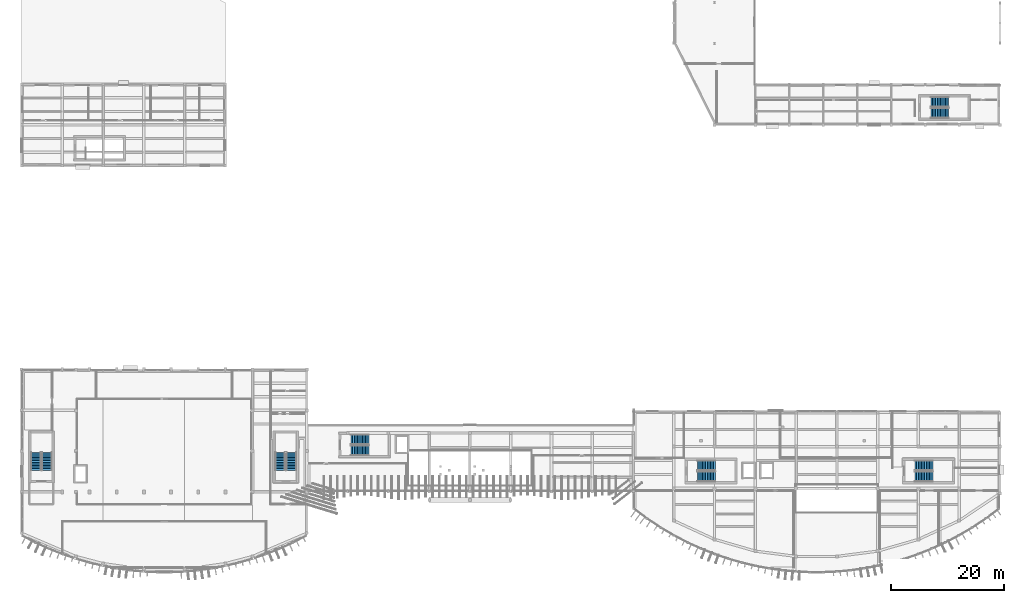
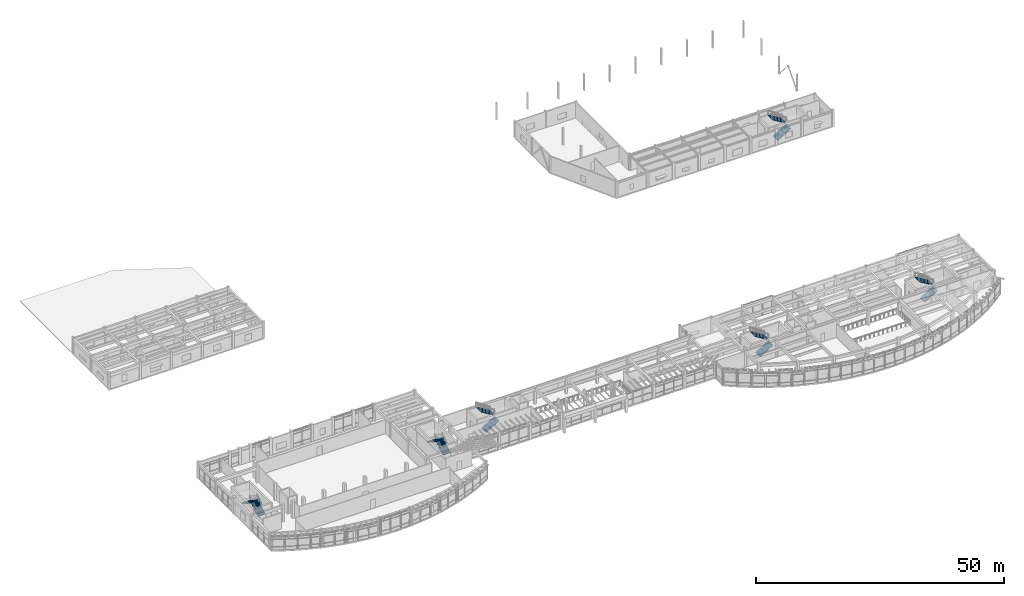
# One storey, part 44 of 60: 12 stair flights, 6 elements without a shape of their own.
"""IFC4 building model written with IfcOpenShell, lengths in metres."""

from ifc_helpers import new_model, si_unit, direction, frame, origin, place, context, subcontext, project, spatial, polyline, outline, extrude, material, type_object, element, aggregate, save


model = new_model("IFC4")

# Units and contexts
model_context = context("Model", 3, precision=1e-05, world=origin(), true_north=direction((0.0, 1.0)))
body_context = subcontext(model_context, "Body", "Model", "MODEL_VIEW")
ifc_project = project(units=[si_unit("LENGTHUNIT", "METRE"), si_unit("AREAUNIT", "SQUARE_METRE"), si_unit("VOLUMEUNIT", "CUBIC_METRE"), si_unit("PLANEANGLEUNIT", "RADIAN"), si_unit("MASSUNIT", "GRAM", prefix="KILO")], contexts=[model_context])

# Site, building, storey
site_placement = place(None, origin())
site = spatial("IfcSite", under=ifc_project, at=site_placement, CompositionType="ELEMENT")
building_placement = place(site_placement, origin())
building = spatial("IfcBuilding", under=site, at=building_placement, Name="Brisavento Harbour Community Centre", CompositionType="ELEMENT")
storey_placement = place(building_placement, frame((0.0, 0.0, 4.5)))
storey = spatial("IfcBuildingStorey", under=building, at=storey_placement, Name="L01", CompositionType="ELEMENT", Elevation=4.5)

# Stair, stair flights
ifc_material = material(Name="Concrete C35/45", Category="concrete")
stair_type = type_object("IfcStairType", Name="STR-DL-4200", PredefinedType="HALF_TURN_STAIR", material=ifc_material)
stair_1_placement = place(storey_placement, origin())
stair_1 = element("IfcStair", 1, at=stair_1_placement, inside=storey, type_object=stair_type, Name="L01 ST-01", PredefinedType="HALF_TURN_STAIR")
stair_flight_type = type_object("IfcStairFlightType", Name="FLT-DL-4200", PredefinedType="STRAIGHT", material=ifc_material)
stair_flight_1_placement = place(storey_placement, frame((4.5, 18.199951171875, 0.0), z_axis=(0.0, 0.0, 1.0), x_axis=(0.0, 1.0, 0.0)))
stair_flight_1 = element("IfcStairFlight", 2, at=stair_flight_1_placement, type_object=stair_flight_type, Name="ST-01 flight 1", NumberOfRisers=12, NumberOfTreads=11, PredefinedType="STRAIGHT", RiserHeight=0.175, TreadLength=0.285, context=body_context, shape_type="SweptSolid", body=[
    extrude(outline(polyline([(0.0, 0.0), (0.0, 0.175048828125), (0.284912109375, 0.175048828125), (0.284912109375, 0.35009765625), (0.570068359375, 0.35009765625), (0.570068359375, 0.52490234375), (0.85498046875, 0.52490234375), (0.85498046875, 0.699951171875), (1.139892578125, 0.699951171875), (1.139892578125, 0.875), (1.425048828125, 0.875), (1.425048828125, 1.050048828125), (1.7099609375, 1.050048828125), (1.7099609375, 1.22509765625), (1.9951171875, 1.22509765625), (1.9951171875, 1.39990234375), (2.280029296875, 1.39990234375), (2.280029296875, 1.574951171875), (2.56494140625, 1.574951171875), (2.56494140625, 1.75), (2.85009765625, 1.75), (2.85009765625, 1.925048828125), (3.135009765625, 1.925048828125), (3.135009765625, 2.10009765625), (3.135009765625, 1.7490234375), (0.286376953125, 0.0), (0.0, 0.0)])), frame((0.0, 0.89990234375, 0.0), z_axis=(0.0, -1.0, 0.0), x_axis=(1.0, 0.0, 0.0)), (0.0, 0.0, 1.0), 1.800048828125),
])
stair_flight_2_placement = place(storey_placement, frame((2.550048828125, 21.3349609375, 2.10009765625), z_axis=(0.0, 0.0, 1.0), x_axis=(0.0, -1.0, 0.0)))
stair_flight_2 = element("IfcStairFlight", 3, at=stair_flight_2_placement, type_object=stair_flight_type, Name="ST-01 flight 2", NumberOfRisers=12, NumberOfTreads=11, PredefinedType="STRAIGHT", RiserHeight=0.175, TreadLength=0.285, context=body_context, shape_type="SweptSolid", body=[
    extrude(outline(polyline([(0.0, 0.0), (0.0, 0.175048828125), (0.284912109375, 0.175048828125), (0.284912109375, 0.35009765625), (0.570068359375, 0.35009765625), (0.570068359375, 0.52490234375), (0.85498046875, 0.52490234375), (0.85498046875, 0.699951171875), (1.139892578125, 0.699951171875), (1.139892578125, 0.875), (1.425048828125, 0.875), (1.425048828125, 1.050048828125), (1.7099609375, 1.050048828125), (1.7099609375, 1.22509765625), (1.9951171875, 1.22509765625), (1.9951171875, 1.39990234375), (2.280029296875, 1.39990234375), (2.280029296875, 1.574951171875), (2.56494140625, 1.574951171875), (2.56494140625, 1.75), (2.85009765625, 1.75), (2.85009765625, 1.925048828125), (3.135009765625, 1.925048828125), (3.135009765625, 2.10009765625), (3.135009765625, 1.7490234375), (0.286376953125, 0.0), (0.0, 0.0)])), frame((0.0, 0.89990234375, 0.0), z_axis=(0.0, -1.0, 0.0), x_axis=(1.0, 0.0, 0.0)), (0.0, 0.0, 1.0), 1.800048828125),
])
aggregate(stair_1, [stair_flight_1, stair_flight_2])

stair_2_placement = place(storey_placement, origin())
stair_2 = element("IfcStair", 4, at=stair_2_placement, inside=storey, type_object=stair_type, Name="L01 ST-02", PredefinedType="HALF_TURN_STAIR")
stair_flight_3_placement = place(storey_placement, frame((47.64990234375, 18.199951171875, 0.0), z_axis=(0.0, 0.0, 1.0), x_axis=(0.0, 1.0, 0.0)))
stair_flight_3 = element("IfcStairFlight", 5, at=stair_flight_3_placement, type_object=stair_flight_type, Name="ST-02 flight 1", NumberOfRisers=12, NumberOfTreads=11, PredefinedType="STRAIGHT", RiserHeight=0.175, TreadLength=0.285, context=body_context, shape_type="SweptSolid", body=[
    extrude(outline(polyline([(0.0, 0.0), (0.0, 0.175048828125), (0.284912109375, 0.175048828125), (0.284912109375, 0.35009765625), (0.570068359375, 0.35009765625), (0.570068359375, 0.52490234375), (0.85498046875, 0.52490234375), (0.85498046875, 0.699951171875), (1.139892578125, 0.699951171875), (1.139892578125, 0.875), (1.425048828125, 0.875), (1.425048828125, 1.050048828125), (1.7099609375, 1.050048828125), (1.7099609375, 1.22509765625), (1.9951171875, 1.22509765625), (1.9951171875, 1.39990234375), (2.280029296875, 1.39990234375), (2.280029296875, 1.574951171875), (2.56494140625, 1.574951171875), (2.56494140625, 1.75), (2.85009765625, 1.75), (2.85009765625, 1.925048828125), (3.135009765625, 1.925048828125), (3.135009765625, 2.10009765625), (3.135009765625, 1.7490234375), (0.286376953125, 0.0), (0.0, 0.0)])), frame((0.0, 0.89990234375, 0.0), z_axis=(0.0, -1.0, 0.0), x_axis=(1.0, 0.0, 0.0)), (0.0, 0.0, 1.0), 1.800048828125),
])
stair_flight_4_placement = place(storey_placement, frame((45.699951171875, 21.3349609375, 2.10009765625), z_axis=(0.0, 0.0, 1.0), x_axis=(0.0, -1.0, 0.0)))
stair_flight_4 = element("IfcStairFlight", 6, at=stair_flight_4_placement, type_object=stair_flight_type, Name="ST-02 flight 2", NumberOfRisers=12, NumberOfTreads=11, PredefinedType="STRAIGHT", RiserHeight=0.175, TreadLength=0.285, context=body_context, shape_type="SweptSolid", body=[
    extrude(outline(polyline([(0.0, 0.0), (0.0, 0.175048828125), (0.284912109375, 0.175048828125), (0.284912109375, 0.35009765625), (0.570068359375, 0.35009765625), (0.570068359375, 0.52490234375), (0.85498046875, 0.52490234375), (0.85498046875, 0.699951171875), (1.139892578125, 0.699951171875), (1.139892578125, 0.875), (1.425048828125, 0.875), (1.425048828125, 1.050048828125), (1.7099609375, 1.050048828125), (1.7099609375, 1.22509765625), (1.9951171875, 1.22509765625), (1.9951171875, 1.39990234375), (2.280029296875, 1.39990234375), (2.280029296875, 1.574951171875), (2.56494140625, 1.574951171875), (2.56494140625, 1.75), (2.85009765625, 1.75), (2.85009765625, 1.925048828125), (3.135009765625, 1.925048828125), (3.135009765625, 2.10009765625), (3.135009765625, 1.7490234375), (0.286376953125, 0.0), (0.0, 0.0)])), frame((0.0, 0.89990234375, 0.0), z_axis=(0.0, -1.0, 0.0), x_axis=(1.0, 0.0, 0.0)), (0.0, 0.0, 1.0), 1.800048828125),
])
aggregate(stair_2, [stair_flight_3, stair_flight_4])

stair_3_placement = place(storey_placement, origin())
stair_3 = element("IfcStair", 7, at=stair_3_placement, inside=storey, type_object=stair_type, Name="L01 ST-03", PredefinedType="HALF_TURN_STAIR")
stair_flight_5_placement = place(storey_placement, frame((58.199951171875, 21.699951171875, 0.0), z_axis=(0.0, 0.0, 1.0), x_axis=(1.0, 0.0, 0.0)))
stair_flight_5 = element("IfcStairFlight", 8, at=stair_flight_5_placement, type_object=stair_flight_type, Name="ST-03 flight 1", NumberOfRisers=12, NumberOfTreads=11, PredefinedType="STRAIGHT", RiserHeight=0.175, TreadLength=0.285, context=body_context, shape_type="SweptSolid", body=[
    extrude(outline(polyline([(0.0, 0.0), (0.0, 0.175048828125), (0.284912109375, 0.175048828125), (0.284912109375, 0.35009765625), (0.570068359375, 0.35009765625), (0.570068359375, 0.52490234375), (0.85498046875, 0.52490234375), (0.85498046875, 0.699951171875), (1.139892578125, 0.699951171875), (1.139892578125, 0.875), (1.425048828125, 0.875), (1.425048828125, 1.050048828125), (1.7099609375, 1.050048828125), (1.7099609375, 1.22509765625), (1.9951171875, 1.22509765625), (1.9951171875, 1.39990234375), (2.280029296875, 1.39990234375), (2.280029296875, 1.574951171875), (2.56494140625, 1.574951171875), (2.56494140625, 1.75), (2.85009765625, 1.75), (2.85009765625, 1.925048828125), (3.135009765625, 1.925048828125), (3.135009765625, 2.10009765625), (3.135009765625, 1.7490234375), (0.286376953125, 0.0), (0.0, 0.0)])), frame((0.0, 0.89990234375, 0.0), z_axis=(0.0, -1.0, 0.0), x_axis=(1.0, 0.0, 0.0)), (0.0, 0.0, 1.0), 1.800048828125),
])
stair_flight_6_placement = place(storey_placement, frame((61.3349609375, 23.64990234375, 2.10009765625), z_axis=(0.0, 0.0, 1.0), x_axis=(-1.0, 0.0, 0.0)))
stair_flight_6 = element("IfcStairFlight", 9, at=stair_flight_6_placement, type_object=stair_flight_type, Name="ST-03 flight 2", NumberOfRisers=12, NumberOfTreads=11, PredefinedType="STRAIGHT", RiserHeight=0.175, TreadLength=0.285, context=body_context, shape_type="SweptSolid", body=[
    extrude(outline(polyline([(0.0, 0.0), (0.0, 0.175048828125), (0.284912109375, 0.175048828125), (0.284912109375, 0.35009765625), (0.570068359375, 0.35009765625), (0.570068359375, 0.52490234375), (0.85498046875, 0.52490234375), (0.85498046875, 0.699951171875), (1.139892578125, 0.699951171875), (1.139892578125, 0.875), (1.425048828125, 0.875), (1.425048828125, 1.050048828125), (1.7099609375, 1.050048828125), (1.7099609375, 1.22509765625), (1.9951171875, 1.22509765625), (1.9951171875, 1.39990234375), (2.280029296875, 1.39990234375), (2.280029296875, 1.574951171875), (2.56494140625, 1.574951171875), (2.56494140625, 1.75), (2.85009765625, 1.75), (2.85009765625, 1.925048828125), (3.135009765625, 1.925048828125), (3.135009765625, 2.10009765625), (3.135009765625, 1.7490234375), (0.286376953125, 0.0), (0.0, 0.0)])), frame((0.0, 0.89990234375, 0.0), z_axis=(0.0, -1.0, 0.0), x_axis=(1.0, 0.0, 0.0)), (0.0, 0.0, 1.0), 1.800048828125),
])
aggregate(stair_3, [stair_flight_5, stair_flight_6])

stair_4_placement = place(storey_placement, origin())
stair_4 = element("IfcStair", 10, at=stair_4_placement, inside=storey, type_object=stair_type, Name="L01 ST-04", PredefinedType="HALF_TURN_STAIR")
stair_flight_7_placement = place(storey_placement, frame((119.39990234375, 17.10009765625, 0.0), z_axis=(0.0, 0.0, 1.0), x_axis=(1.0, 0.0, 0.0)))
stair_flight_7 = element("IfcStairFlight", 11, at=stair_flight_7_placement, type_object=stair_flight_type, Name="ST-04 flight 1", NumberOfRisers=12, NumberOfTreads=11, PredefinedType="STRAIGHT", RiserHeight=0.175, TreadLength=0.285, context=body_context, shape_type="SweptSolid", body=[
    extrude(outline(polyline([(0.0, 0.0), (0.0, 0.175048828125), (0.284912109375, 0.175048828125), (0.284912109375, 0.35009765625), (0.570068359375, 0.35009765625), (0.570068359375, 0.52490234375), (0.85498046875, 0.52490234375), (0.85498046875, 0.699951171875), (1.139892578125, 0.699951171875), (1.139892578125, 0.875), (1.425048828125, 0.875), (1.425048828125, 1.050048828125), (1.7099609375, 1.050048828125), (1.7099609375, 1.22509765625), (1.9951171875, 1.22509765625), (1.9951171875, 1.39990234375), (2.280029296875, 1.39990234375), (2.280029296875, 1.574951171875), (2.56494140625, 1.574951171875), (2.56494140625, 1.75), (2.85009765625, 1.75), (2.85009765625, 1.925048828125), (3.135009765625, 1.925048828125), (3.135009765625, 2.10009765625), (3.135009765625, 1.7490234375), (0.286376953125, 0.0), (0.0, 0.0)])), frame((0.0, 0.89990234375, 0.0), z_axis=(0.0, -1.0, 0.0), x_axis=(1.0, 0.0, 0.0)), (0.0, 0.0, 1.0), 1.800048828125),
])
stair_flight_8_placement = place(storey_placement, frame((122.534912109375, 19.050048828125, 2.10009765625), z_axis=(0.0, 0.0, 1.0), x_axis=(-1.0, 0.0, 0.0)))
stair_flight_8 = element("IfcStairFlight", 12, at=stair_flight_8_placement, type_object=stair_flight_type, Name="ST-04 flight 2", NumberOfRisers=12, NumberOfTreads=11, PredefinedType="STRAIGHT", RiserHeight=0.175, TreadLength=0.285, context=body_context, shape_type="SweptSolid", body=[
    extrude(outline(polyline([(0.0, 0.0), (0.0, 0.175048828125), (0.284912109375, 0.175048828125), (0.284912109375, 0.35009765625), (0.570068359375, 0.35009765625), (0.570068359375, 0.52490234375), (0.85498046875, 0.52490234375), (0.85498046875, 0.699951171875), (1.139892578125, 0.699951171875), (1.139892578125, 0.875), (1.425048828125, 0.875), (1.425048828125, 1.050048828125), (1.7099609375, 1.050048828125), (1.7099609375, 1.22509765625), (1.9951171875, 1.22509765625), (1.9951171875, 1.39990234375), (2.280029296875, 1.39990234375), (2.280029296875, 1.574951171875), (2.56494140625, 1.574951171875), (2.56494140625, 1.75), (2.85009765625, 1.75), (2.85009765625, 1.925048828125), (3.135009765625, 1.925048828125), (3.135009765625, 2.10009765625), (3.135009765625, 1.7490234375), (0.286376953125, 0.0), (0.0, 0.0)])), frame((0.0, 0.89990234375, 0.0), z_axis=(0.0, -1.0, 0.0), x_axis=(1.0, 0.0, 0.0)), (0.0, 0.0, 1.0), 1.800048828125),
])
aggregate(stair_4, [stair_flight_7, stair_flight_8])

stair_5_placement = place(storey_placement, origin())
stair_5 = element("IfcStair", 13, at=stair_5_placement, inside=storey, type_object=stair_type, Name="L01 ST-05", PredefinedType="HALF_TURN_STAIR")
stair_flight_9_placement = place(storey_placement, frame((157.800048828125, 17.10009765625, 0.0), z_axis=(0.0, 0.0, 1.0), x_axis=(1.0, 0.0, 0.0)))
stair_flight_9 = element("IfcStairFlight", 14, at=stair_flight_9_placement, type_object=stair_flight_type, Name="ST-05 flight 1", NumberOfRisers=12, NumberOfTreads=11, PredefinedType="STRAIGHT", RiserHeight=0.175, TreadLength=0.285, context=body_context, shape_type="SweptSolid", body=[
    extrude(outline(polyline([(0.0, 0.0), (0.0, 0.175048828125), (0.284912109375, 0.175048828125), (0.284912109375, 0.35009765625), (0.570068359375, 0.35009765625), (0.570068359375, 0.52490234375), (0.85498046875, 0.52490234375), (0.85498046875, 0.699951171875), (1.139892578125, 0.699951171875), (1.139892578125, 0.875), (1.425048828125, 0.875), (1.425048828125, 1.050048828125), (1.7099609375, 1.050048828125), (1.7099609375, 1.22509765625), (1.9951171875, 1.22509765625), (1.9951171875, 1.39990234375), (2.280029296875, 1.39990234375), (2.280029296875, 1.574951171875), (2.56494140625, 1.574951171875), (2.56494140625, 1.75), (2.85009765625, 1.75), (2.85009765625, 1.925048828125), (3.135009765625, 1.925048828125), (3.135009765625, 2.10009765625), (3.135009765625, 1.7490234375), (0.286376953125, 0.0), (0.0, 0.0)])), frame((0.0, 0.89990234375, 0.0), z_axis=(0.0, -1.0, 0.0), x_axis=(1.0, 0.0, 0.0)), (0.0, 0.0, 1.0), 1.800048828125),
])
stair_flight_10_placement = place(storey_placement, frame((160.93505859375, 19.050048828125, 2.10009765625), z_axis=(0.0, 0.0, 1.0), x_axis=(-1.0, 0.0, 0.0)))
stair_flight_10 = element("IfcStairFlight", 15, at=stair_flight_10_placement, type_object=stair_flight_type, Name="ST-05 flight 2", NumberOfRisers=12, NumberOfTreads=11, PredefinedType="STRAIGHT", RiserHeight=0.175, TreadLength=0.285, context=body_context, shape_type="SweptSolid", body=[
    extrude(outline(polyline([(0.0, 0.0), (0.0, 0.175048828125), (0.284912109375, 0.175048828125), (0.284912109375, 0.35009765625), (0.570068359375, 0.35009765625), (0.570068359375, 0.52490234375), (0.85498046875, 0.52490234375), (0.85498046875, 0.699951171875), (1.139892578125, 0.699951171875), (1.139892578125, 0.875), (1.425048828125, 0.875), (1.425048828125, 1.050048828125), (1.7099609375, 1.050048828125), (1.7099609375, 1.22509765625), (1.9951171875, 1.22509765625), (1.9951171875, 1.39990234375), (2.280029296875, 1.39990234375), (2.280029296875, 1.574951171875), (2.56494140625, 1.574951171875), (2.56494140625, 1.75), (2.85009765625, 1.75), (2.85009765625, 1.925048828125), (3.135009765625, 1.925048828125), (3.135009765625, 2.10009765625), (3.135009765625, 1.7490234375), (0.286376953125, 0.0), (0.0, 0.0)])), frame((0.0, 0.89990234375, 0.0), z_axis=(0.0, -1.0, 0.0), x_axis=(1.0, 0.0, 0.0)), (0.0, 0.0, 1.0), 1.800048828125),
])
aggregate(stair_5, [stair_flight_9, stair_flight_10])

stair_6_placement = place(storey_placement, origin())
stair_6 = element("IfcStair", 16, at=stair_6_placement, inside=storey, type_object=stair_type, Name="L01 ST-06", PredefinedType="HALF_TURN_STAIR")
stair_flight_11_placement = place(storey_placement, frame((160.60009765625, 81.300048828125, 0.0), z_axis=(0.0, 0.0, 1.0), x_axis=(1.0, 0.0, 0.0)))
stair_flight_11 = element("IfcStairFlight", 17, at=stair_flight_11_placement, type_object=stair_flight_type, Name="ST-06 flight 1", NumberOfRisers=12, NumberOfTreads=11, PredefinedType="STRAIGHT", RiserHeight=0.175, TreadLength=0.285, context=body_context, shape_type="SweptSolid", body=[
    extrude(outline(polyline([(0.0, 0.0), (0.0, 0.175048828125), (0.284912109375, 0.175048828125), (0.284912109375, 0.35009765625), (0.570068359375, 0.35009765625), (0.570068359375, 0.52490234375), (0.85498046875, 0.52490234375), (0.85498046875, 0.699951171875), (1.139892578125, 0.699951171875), (1.139892578125, 0.875), (1.425048828125, 0.875), (1.425048828125, 1.050048828125), (1.7099609375, 1.050048828125), (1.7099609375, 1.22509765625), (1.9951171875, 1.22509765625), (1.9951171875, 1.39990234375), (2.280029296875, 1.39990234375), (2.280029296875, 1.574951171875), (2.56494140625, 1.574951171875), (2.56494140625, 1.75), (2.85009765625, 1.75), (2.85009765625, 1.925048828125), (3.135009765625, 1.925048828125), (3.135009765625, 2.10009765625), (3.135009765625, 1.7490234375), (0.286376953125, 0.0), (0.0, 0.0)])), frame((0.0, 0.89990234375, 0.0), z_axis=(0.0, -1.0, 0.0), x_axis=(1.0, 0.0, 0.0)), (0.0, 0.0, 1.0), 1.800048828125),
])
stair_flight_12_placement = place(storey_placement, frame((163.735107421875, 83.25, 2.10009765625), z_axis=(0.0, 0.0, 1.0), x_axis=(-1.0, 0.0, 0.0)))
stair_flight_12 = element("IfcStairFlight", 18, at=stair_flight_12_placement, type_object=stair_flight_type, Name="ST-06 flight 2", NumberOfRisers=12, NumberOfTreads=11, PredefinedType="STRAIGHT", RiserHeight=0.175, TreadLength=0.285, context=body_context, shape_type="SweptSolid", body=[
    extrude(outline(polyline([(0.0, 0.0), (0.0, 0.175048828125), (0.284912109375, 0.175048828125), (0.284912109375, 0.35009765625), (0.570068359375, 0.35009765625), (0.570068359375, 0.52490234375), (0.85498046875, 0.52490234375), (0.85498046875, 0.699951171875), (1.139892578125, 0.699951171875), (1.139892578125, 0.875), (1.425048828125, 0.875), (1.425048828125, 1.050048828125), (1.7099609375, 1.050048828125), (1.7099609375, 1.22509765625), (1.9951171875, 1.22509765625), (1.9951171875, 1.39990234375), (2.280029296875, 1.39990234375), (2.280029296875, 1.574951171875), (2.56494140625, 1.574951171875), (2.56494140625, 1.75), (2.85009765625, 1.75), (2.85009765625, 1.925048828125), (3.135009765625, 1.925048828125), (3.135009765625, 2.10009765625), (3.135009765625, 1.7490234375), (0.286376953125, 0.0), (0.0, 0.0)])), frame((0.0, 0.89990234375, 0.0), z_axis=(0.0, -1.0, 0.0), x_axis=(1.0, 0.0, 0.0)), (0.0, 0.0, 1.0), 1.800048828125),
])
aggregate(stair_6, [stair_flight_11, stair_flight_12])

save(model, "model.ifc")
